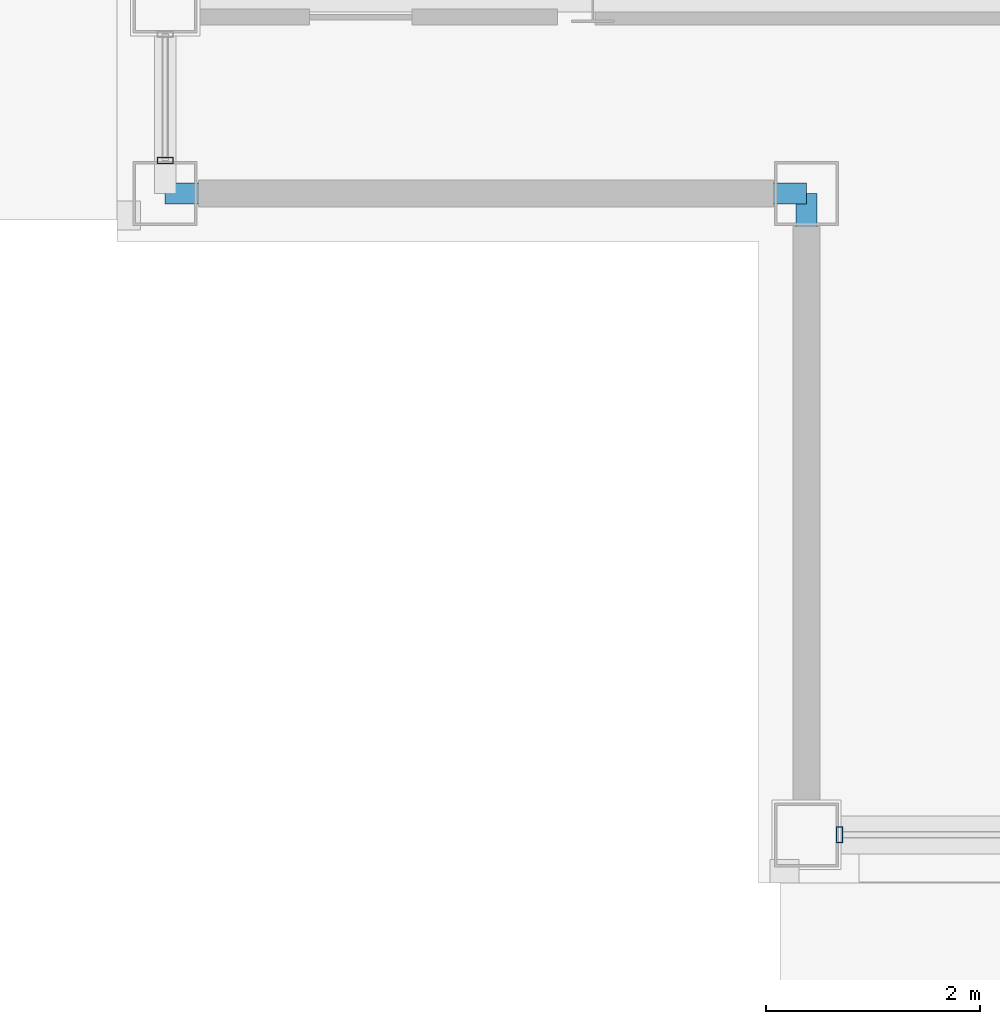
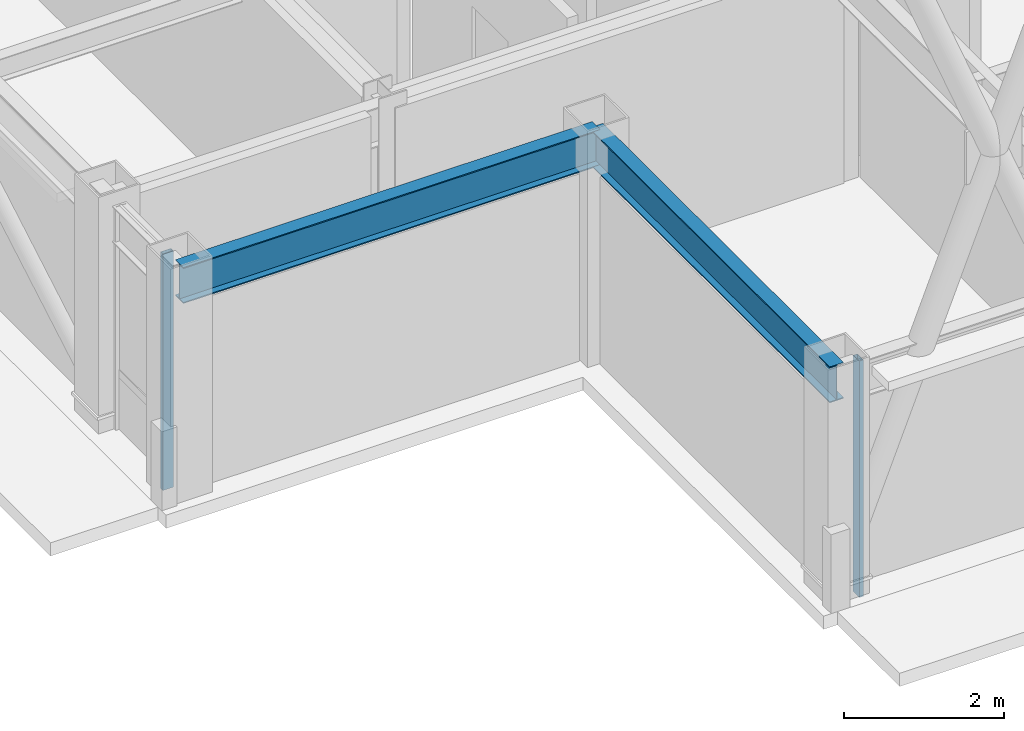
# One storey, part 2 of 24: 2 beams, 2 members, 2 elements without a shape of their own.
"""IFC4 building model written with IfcOpenShell, lengths in metres."""

from ifc_helpers import new_model, si_unit, direction, frame, origin, origin_2d, place, context, subcontext, project, spatial, hollow_rectangle, i_section, extrude, material, layer, layer_set, material_profile, profile_set, type_object, element, aggregate, save


model = new_model("IFC4")

# Units and contexts
model_context = context("Model", 3, precision=1e-05, world=origin(), true_north=direction((0.0, 1.0)))
body_context = subcontext(model_context, "Body", "Model", "MODEL_VIEW")
ifc_project = project(units=[si_unit("LENGTHUNIT", "METRE"), si_unit("AREAUNIT", "SQUARE_METRE"), si_unit("VOLUMEUNIT", "CUBIC_METRE"), si_unit("PLANEANGLEUNIT", "RADIAN"), si_unit("MASSUNIT", "GRAM", prefix="KILO")], contexts=[model_context])

# Site, building, storey
site_placement = place(None, origin())
site = spatial("IfcSite", under=ifc_project, at=site_placement, CompositionType="ELEMENT")
building_placement = place(site_placement, origin())
building = spatial("IfcBuilding", under=site, at=building_placement, Name="Brelmoor Portico Tower", CompositionType="ELEMENT")
storey_placement = place(building_placement, frame((0.0, 0.0, 268.800048828125)))
storey = spatial("IfcBuildingStorey", under=building, at=storey_placement, Name="L71", CompositionType="ELEMENT", Elevation=268.800048828125)

# Beams
ifc_material_1 = material(Name="Steel Q355B", Category="steel")
ifc_material_profile_1 = material_profile(ifc_material_1, i_section(OverallWidth=0.199951171875, OverallDepth=0.550048828125, WebThickness=0.010009765625, FlangeThickness=0.01611328125, at=origin_2d()), Name="HN 550x200x10x16")
ifc_profile_set_1 = profile_set([ifc_material_profile_1], Name="Steel Q355B")
beam_type = type_object("IfcBeamType", Name="BM-SP-550", PredefinedType="SPANDREL", material=ifc_profile_set_1)
for number, where, z_axis, x_axis, name in (
    (1, (-18.550048828125, -11.550048828125, 3.125), (1.0, 0.0, 0.0), (0.0, 1.0, 0.0), "L71 Perimeter Spandrel Beam SP-04"),
    (2, (-12.550048828125, -17.550048828125, 3.125), (0.0, 1.0, 0.0), (-1.0, 0.0, 0.0), "L71 Perimeter Spandrel Beam SP-14"),
):
    element("IfcBeam", number, at=place(storey_placement, frame(where, z_axis=z_axis, x_axis=x_axis)), inside=storey, type_object=beam_type, Name=name, PredefinedType="SPANDREL", context=body_context, shape_type="SweptSolid", body=[
        extrude(i_section(OverallWidth=0.199951171875, OverallDepth=0.550048828125, WebThickness=0.010009765625, FlangeThickness=0.01611328125, at=origin_2d()), origin(), (0.0, 0.0, 1.0), 6.0),
    ])

# Curtain wall, member
ifc_material_2 = material(Name="Anodised Aluminium Alloy 6063-T6", Category="aluminium")
ifc_layer_1 = layer(ifc_material_2, 0.179931640625)
ifc_layer_set_1 = layer_set([ifc_layer_1], Name="Anodised Aluminium Alloy 6063-T6")
curtain_wall_type_1 = type_object("IfcCurtainWallType", Name="CW-TOWER-Z4-XB", PredefinedType="NOTDEFINED", material=ifc_layer_set_1)
curtain_wall_1_placement = place(storey_placement, origin())
curtain_wall_1 = element("IfcCurtainWall", 3, at=curtain_wall_1_placement, inside=storey, type_object=curtain_wall_type_1, Name="L71 Curtain Wall CW-L71-01-1", PredefinedType="NOTDEFINED")
ifc_material_profile_2 = material_profile(ifc_material_2, hollow_rectangle(XDim=0.06005859375, YDim=0.14990234375, WallThickness=0.00390625, at=origin_2d()), Name="ALU MULLION 60x150")
ifc_profile_set_2 = profile_set([ifc_material_profile_2], Name="Anodised Aluminium Alloy 6063-T6")
member_type = type_object("IfcMemberType", Name="MB-CW-MULL-150", PredefinedType="MULLION", material=ifc_profile_set_2)
member_1_placement = place(storey_placement, frame((-12.239990234375, -17.550048828125, -0.199951171875), z_axis=(0.0, 0.0, 1.0), x_axis=(1.0, 0.0, 0.0)))
member_1 = element("IfcMember", 4, at=member_1_placement, type_object=member_type, Name="CW-L71-01-1 Mullion 00", PredefinedType="MULLION", context=body_context, shape_type="SweptSolid", body=[
    extrude(hollow_rectangle(XDim=0.06005859375, YDim=0.14990234375, WallThickness=0.00390625, at=origin_2d()), origin(), (0.0, 0.0, 1.0), 3.599853515625),
])
aggregate(curtain_wall_1, [member_1])

ifc_layer_2 = layer(ifc_material_2, 0.179931640625)
ifc_layer_set_2 = layer_set([ifc_layer_2], Name="Anodised Aluminium Alloy 6063-T6")
curtain_wall_type_2 = type_object("IfcCurtainWallType", Name="CW-TOWER-Z4", PredefinedType="NOTDEFINED", material=ifc_layer_set_2)
curtain_wall_2_placement = place(storey_placement, origin())
curtain_wall_2 = element("IfcCurtainWall", 5, at=curtain_wall_2_placement, inside=storey, type_object=curtain_wall_type_2, Name="L71 Curtain Wall CW-L71-03-1", PredefinedType="NOTDEFINED")
member_2_placement = place(storey_placement, frame((-18.550048828125, -11.239990234375, -0.199951171875), z_axis=(0.0, 0.0, 1.0), x_axis=(0.0, 1.0, 0.0)))
member_2 = element("IfcMember", 6, at=member_2_placement, type_object=member_type, Name="CW-L71-03-1 Mullion 00", PredefinedType="MULLION", context=body_context, shape_type="SweptSolid", body=[
    extrude(hollow_rectangle(XDim=0.06005859375, YDim=0.14990234375, WallThickness=0.00390625, at=origin_2d()), origin(), (0.0, 0.0, 1.0), 3.599853515625),
])
aggregate(curtain_wall_2, [member_2])

save(model, "model.ifc")
